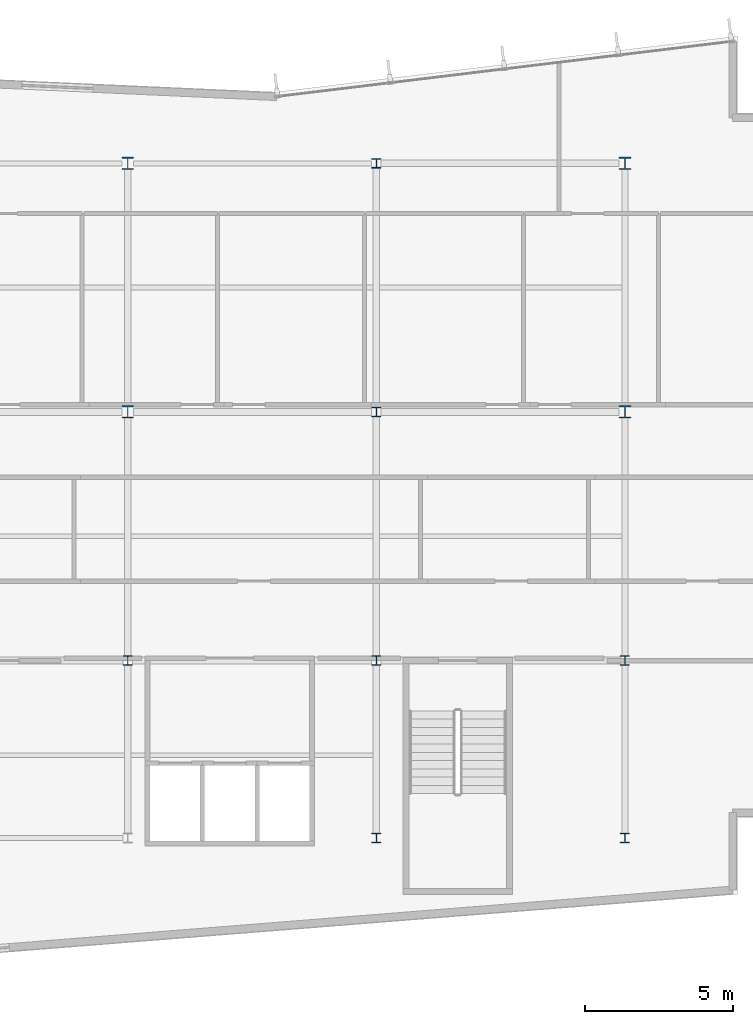
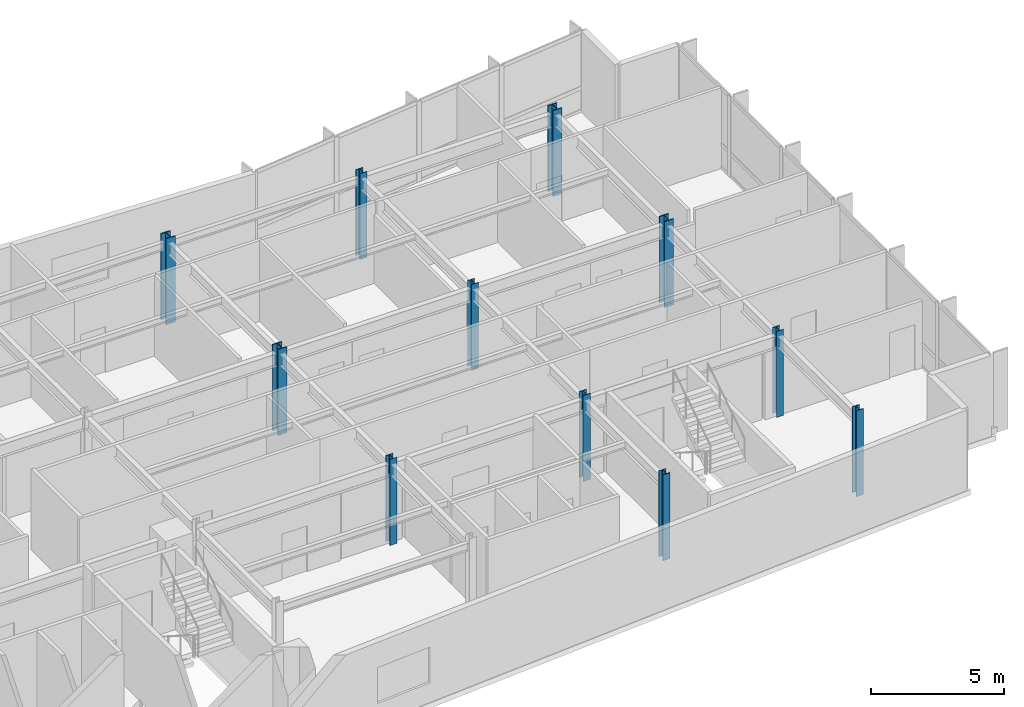
# One storey, part 2 of 17: 11 columns.
"""IFC4 building model written with IfcOpenShell, lengths in metres."""

from ifc_helpers import new_model, si_unit, direction, frame, origin, origin_2d, place, context, subcontext, project, spatial, i_section, extrude, material, material_profile, profile_set, type_object, element, save


model = new_model("IFC4")

# Units and contexts
model_context = context("Model", 3, precision=1e-05, world=origin(), true_north=direction((0.0, 1.0)))
body_context = subcontext(model_context, "Body", "Model", "MODEL_VIEW")
ifc_project = project(units=[si_unit("LENGTHUNIT", "METRE"), si_unit("AREAUNIT", "SQUARE_METRE"), si_unit("VOLUMEUNIT", "CUBIC_METRE"), si_unit("PLANEANGLEUNIT", "RADIAN"), si_unit("MASSUNIT", "GRAM", prefix="KILO")], contexts=[model_context])

# Site, building, storey
site_placement = place(None, origin())
site = spatial("IfcSite", under=ifc_project, at=site_placement, CompositionType="ELEMENT")
building_placement = place(site_placement, origin())
building = spatial("IfcBuilding", under=site, at=building_placement, Name="Varnakote Quay Hospital", CompositionType="ELEMENT")
storey_placement = place(building_placement, frame((0.0, 0.0, 127.050048828125)))
storey = spatial("IfcBuildingStorey", under=building, at=storey_placement, Name="L31", CompositionType="ELEMENT", Elevation=127.050048828125)

# Columns
ifc_material_1 = material(Name="Structural steel AS/NZS 3679.1 Grade 350 L0 (fy 340 MPa)", Category="steel")
ifc_material_profile_1 = material_profile(ifc_material_1, i_section(OverallWidth=0.30908203125, OverallDepth=0.321044921875, WebThickness=0.013916015625, FlangeThickness=0.021728515625, FilletRadius=0.0166015625, at=origin_2d()), Name="310UC137")
ifc_profile_set_1 = profile_set([ifc_material_profile_1], Name="Structural steel AS/NZS 3679.1 Grade 350 L0 (fy 340 MPa)")
column_type_1 = type_object("IfcColumnType", Name="COL-STL-310UC137", PredefinedType="COLUMN", material=ifc_profile_set_1)
for number, where, z_axis, x_axis, name in (
    (1, (42.0, 6.0, 0.0), (0.0, 0.0, 1.0), (1.0, 0.0, 0.0), "L31 Structural Column C-42-6"),
    (2, (50.39990234375, 6.0, 0.0), (0.0, 0.0, 1.0), (1.0, 0.0, 0.0), "L31 Structural Column C-50-6"),
    (3, (33.60009765625, 12.0, 0.0), (0.0, 0.0, 1.0), (1.0, 0.0, 0.0), "L31 Structural Column C-34-12"),
    (4, (42.0, 12.0, 0.0), (0.0, 0.0, 1.0), (1.0, 0.0, 0.0), "L31 Structural Column C-42-12"),
    (5, (50.39990234375, 12.0, 0.0), (0.0, 0.0, 1.0), (1.0, 0.0, 0.0), "L31 Structural Column C-50-12"),
    (6, (42.0, 20.39990234375, 0.0), (0.0, 0.0, 1.0), (1.0, 0.0, 0.0), "L31 Structural Column C-42-20"),
    (7, (42.0, 28.800048828125, 0.0), (0.0, 0.0, 1.0), (1.0, 0.0, 0.0), "L31 Structural Column C-42-29"),
):
    element("IfcColumn", number, at=place(storey_placement, frame(where, z_axis=z_axis, x_axis=x_axis)), inside=storey, type_object=column_type_1, Name=name, PredefinedType="COLUMN", context=body_context, shape_type="SweptSolid", body=[
        extrude(i_section(OverallWidth=0.30908203125, OverallDepth=0.321044921875, WebThickness=0.013916015625, FlangeThickness=0.021728515625, FilletRadius=0.0166015625, at=origin_2d()), origin(), (0.0, 0.0, 1.0), 3.949951171875),
    ])
ifc_material_2 = material(Name="Structural steel AS/NZS 3678 Grade 350 (fy 340 MPa)", Category="steel")
ifc_material_profile_2 = material_profile(ifc_material_2, i_section(OverallWidth=0.39990234375, OverallDepth=0.419921875, WebThickness=0.02490234375, FlangeThickness=0.0400390625, at=origin_2d()), Name="400WC328")
ifc_profile_set_2 = profile_set([ifc_material_profile_2], Name="Structural steel AS/NZS 3678 Grade 350 (fy 340 MPa)")
column_type_2 = type_object("IfcColumnType", Name="COL-STL-400WC328", PredefinedType="COLUMN", material=ifc_profile_set_2)
for number, where, z_axis, x_axis, name in (
    (8, (33.60009765625, 20.39990234375, 0.0), (0.0, 0.0, 1.0), (1.0, 0.0, 0.0), "L31 Structural Column C-34-20"),
    (9, (50.39990234375, 20.39990234375, 0.0), (0.0, 0.0, 1.0), (1.0, 0.0, 0.0), "L31 Structural Column C-50-20"),
    (10, (33.60009765625, 28.800048828125, 0.0), (0.0, 0.0, 1.0), (1.0, 0.0, 0.0), "L31 Structural Column C-34-29"),
    (11, (50.39990234375, 28.800048828125, 0.0), (0.0, 0.0, 1.0), (1.0, 0.0, 0.0), "L31 Structural Column C-50-29"),
):
    element("IfcColumn", number, at=place(storey_placement, frame(where, z_axis=z_axis, x_axis=x_axis)), inside=storey, type_object=column_type_2, Name=name, PredefinedType="COLUMN", context=body_context, shape_type="SweptSolid", body=[
        extrude(i_section(OverallWidth=0.39990234375, OverallDepth=0.419921875, WebThickness=0.02490234375, FlangeThickness=0.0400390625, at=origin_2d()), origin(), (0.0, 0.0, 1.0), 3.949951171875),
    ])

save(model, "model.ifc")
